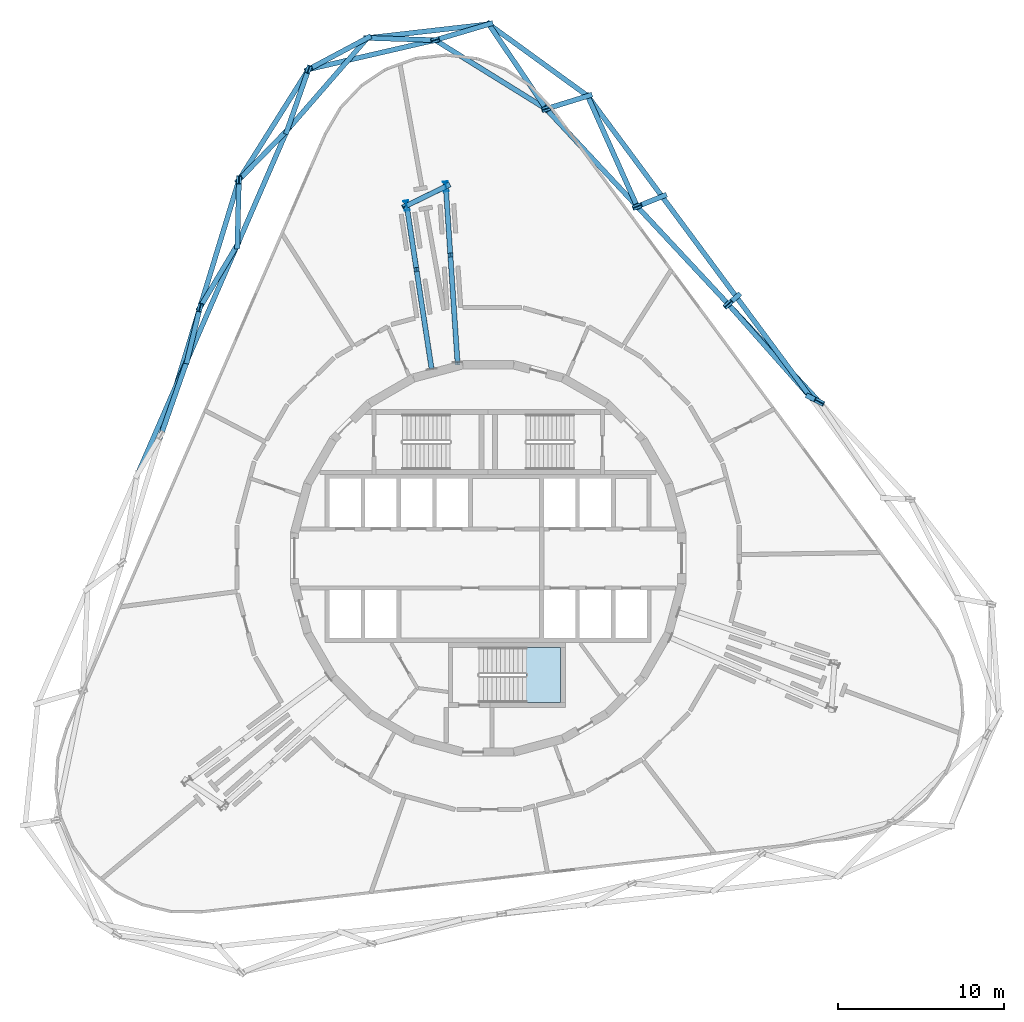
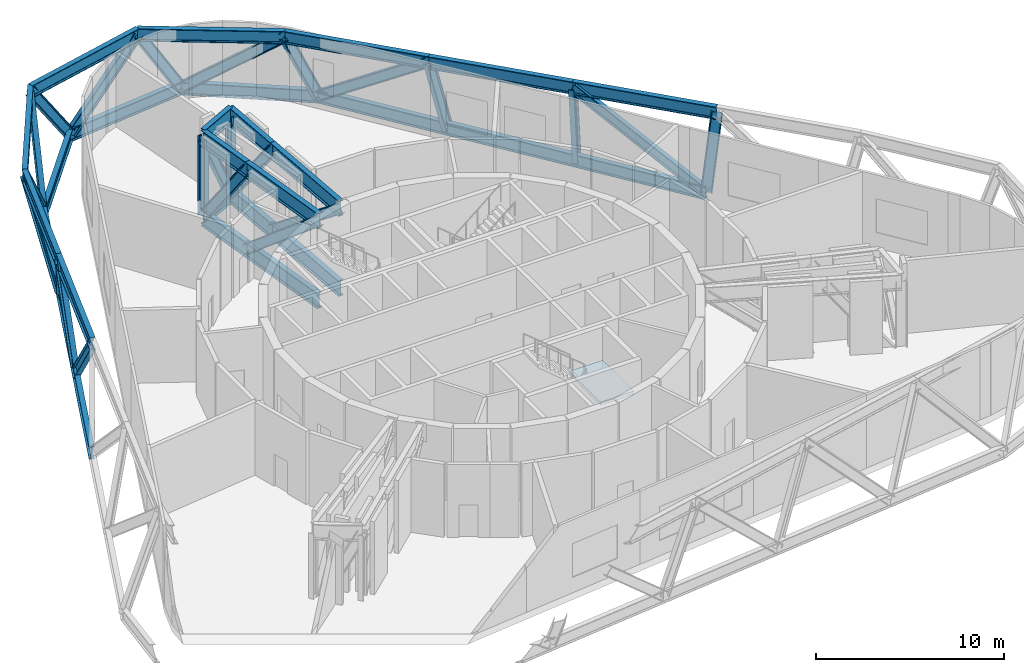
# One storey, part 3 of 11: 50 members, 1 slab, 1 element without a shape of its own.
"""IFC4 building model written with IfcOpenShell, lengths in metres."""

from ifc_helpers import new_model, si_unit, direction, frame, origin, origin_2d, place, context, subcontext, project, spatial, polyline, i_section, outline, extrude, material, layer, layer_set, material_profile, profile_set, type_object, element, aggregate, save


model = new_model("IFC4")

# Units and contexts
model_context = context("Model", 3, precision=1e-05, world=origin(), true_north=direction((0.0, 1.0)))
body_context = subcontext(model_context, "Body", "Model", "MODEL_VIEW")
ifc_project = project(units=[si_unit("LENGTHUNIT", "METRE"), si_unit("AREAUNIT", "SQUARE_METRE"), si_unit("VOLUMEUNIT", "CUBIC_METRE"), si_unit("PLANEANGLEUNIT", "RADIAN"), si_unit("MASSUNIT", "GRAM", prefix="KILO")], contexts=[model_context])

# Site, building, storey
site_placement = place(None, origin())
site = spatial("IfcSite", under=ifc_project, at=site_placement, CompositionType="ELEMENT")
building_placement = place(site_placement, origin())
building = spatial("IfcBuilding", under=site, at=building_placement, Name="Spindle Arch Residences", CompositionType="ELEMENT")
storey_placement = place(building_placement, frame((0.0, 0.0, 108.199951171875)))
storey = spatial("IfcBuildingStorey", under=building, at=storey_placement, Name="L26", CompositionType="ELEMENT", Elevation=108.199951171875)

# Members
ifc_material_1 = material(Name="Steel S460ML, intumescent coating R 240", Category="steel")
ifc_material_profile_1 = material_profile(ifc_material_1, i_section(OverallWidth=0.302978515625, OverallDepth=0.81396484375, WebThickness=0.02099609375, FlangeThickness=0.0400390625, FilletRadius=0.030029296875, at=origin_2d()), Name="HEM 800")
ifc_profile_set_1 = profile_set([ifc_material_profile_1], Name="Steel S460ML, intumescent coating R 240")
member_type_1 = type_object("IfcMemberType", Name="Belt truss chord HEM 800", PredefinedType="CHORD", material=ifc_profile_set_1)
member_1_placement = place(storey_placement, frame((19.404541015625, 9.681884765625, -0.85693359375), z_axis=(-0.594818247684, 0.80386021933, 0.0), x_axis=(-0.80386021933, -0.594818247684, 0.0)))
element("IfcMember", 1, at=member_1_placement, inside=storey, type_object=member_type_1, Name="Belt truss bottom chord L26.8", PredefinedType="CHORD", context=body_context, shape_type="SweptSolid", body=[
    extrude(i_section(OverallWidth=0.302978515625, OverallDepth=0.81396484375, WebThickness=0.02099609375, FlangeThickness=0.0400390625, FilletRadius=0.030029296875, at=origin_2d()), origin(), (0.0, 0.0, 1.0), 7.51904296875),
])
for number, where, z_axis, x_axis, name in (
    (2, (14.93212890625, 15.72607421875, -0.85693359375), (-0.594833773541, 0.803848730704, 0.0), (-0.803848730704, -0.594833773541, 0.0), "Belt truss bottom chord L26.9"),
    (3, (10.459716796875, 21.77001953125, -0.85693359375), (-0.594797265235, 0.803875744919, 0.0), (-0.803875744919, -0.594797265235, 0.0), "Belt truss bottom chord L26.10"),
):
    element("IfcMember", number, at=place(storey_placement, frame(where, z_axis=z_axis, x_axis=x_axis)), inside=storey, type_object=member_type_1, Name=name, PredefinedType="CHORD", context=body_context, shape_type="SweptSolid", body=[
        extrude(i_section(OverallWidth=0.302978515625, OverallDepth=0.81396484375, WebThickness=0.02099609375, FlangeThickness=0.0400390625, FilletRadius=0.030029296875, at=origin_2d()), origin(), (0.0, 0.0, 1.0), 7.518798828125),
    ])
member_2_placement = place(storey_placement, frame((5.987548828125, 27.814208984375, -0.85693359375), z_axis=(-0.809295594057, 0.587401601495, 0.0), x_axis=(-0.587401601495, -0.809295594057, 0.0)))
element("IfcMember", 4, at=member_2_placement, inside=storey, type_object=member_type_1, Name="Belt truss bottom chord L26.11", PredefinedType="CHORD", context=body_context, shape_type="SweptSolid", body=[
    extrude(i_section(OverallWidth=0.302978515625, OverallDepth=0.81396484375, WebThickness=0.02099609375, FlangeThickness=0.0400390625, FilletRadius=0.030029296875, at=origin_2d()), origin(), (0.0, 0.0, 1.0), 7.35400390625),
])
member_3_placement = place(storey_placement, frame((0.035888671875, 32.134033203125, -0.85693359375), z_axis=(-0.99357352568, -0.113188555371, 0.0), x_axis=(0.113188555371, -0.99357352568, 0.0)))
element("IfcMember", 5, at=member_3_placement, inside=storey, type_object=member_type_1, Name="Belt truss bottom chord L26.12", PredefinedType="CHORD", context=body_context, shape_type="SweptSolid", body=[
    extrude(i_section(OverallWidth=0.302978515625, OverallDepth=0.81396484375, WebThickness=0.02099609375, FlangeThickness=0.0400390625, FilletRadius=0.030029296875, at=origin_2d()), origin(), (0.0, 0.0, 1.0), 7.346435546875),
])
member_4_placement = place(storey_placement, frame((-7.263427734375, 31.302490234375, -0.85693359375), z_axis=(-0.65640799179, -0.754406089791, 0.0), x_axis=(0.754406089791, -0.65640799179, 0.0)))
element("IfcMember", 6, at=member_4_placement, inside=storey, type_object=member_type_1, Name="Belt truss bottom chord L26.13", PredefinedType="CHORD", context=body_context, shape_type="SweptSolid", body=[
    extrude(i_section(OverallWidth=0.302978515625, OverallDepth=0.81396484375, WebThickness=0.02099609375, FlangeThickness=0.0400390625, FilletRadius=0.030029296875, at=origin_2d()), origin(), (0.0, 0.0, 1.0), 7.354248046875),
])
member_5_placement = place(storey_placement, frame((-12.0908203125, 25.75439453125, -0.85693359375), z_axis=(-0.398737984544, -0.917064893932, 0.0), x_axis=(0.917064893932, -0.398737984544, 0.0)))
element("IfcMember", 7, at=member_5_placement, inside=storey, type_object=member_type_1, Name="Belt truss bottom chord L26.14", PredefinedType="CHORD", context=body_context, shape_type="SweptSolid", body=[
    extrude(i_section(OverallWidth=0.302978515625, OverallDepth=0.81396484375, WebThickness=0.02099609375, FlangeThickness=0.0400390625, FilletRadius=0.030029296875, at=origin_2d()), origin(), (0.0, 0.0, 1.0), 7.518798828125),
])
member_6_placement = place(storey_placement, frame((-15.0888671875, 18.859130859375, -0.85693359375), z_axis=(-0.398765291981, -0.917053020229, 0.0), x_axis=(0.917053020229, -0.398765291981, 0.0)))
element("IfcMember", 8, at=member_6_placement, inside=storey, type_object=member_type_1, Name="Belt truss bottom chord L26.15", PredefinedType="CHORD", context=body_context, shape_type="SweptSolid", body=[
    extrude(i_section(OverallWidth=0.302978515625, OverallDepth=0.81396484375, WebThickness=0.02099609375, FlangeThickness=0.0400390625, FilletRadius=0.030029296875, at=origin_2d()), origin(), (0.0, 0.0, 1.0), 7.51904296875),
])
member_7_placement = place(storey_placement, frame((-18.087158203125, 11.9638671875, -0.85693359375), z_axis=(-0.398737984544, -0.917064893932, 0.0), x_axis=(0.917064893932, -0.398737984544, 0.0)))
element("IfcMember", 9, at=member_7_placement, inside=storey, type_object=member_type_1, Name="Belt truss bottom chord L26.16", PredefinedType="CHORD", context=body_context, shape_type="SweptSolid", body=[
    extrude(i_section(OverallWidth=0.302978515625, OverallDepth=0.81396484375, WebThickness=0.02099609375, FlangeThickness=0.0400390625, FilletRadius=0.030029296875, at=origin_2d()), origin(), (0.0, 0.0, 1.0), 7.518798828125),
])
member_8_placement = place(storey_placement, frame((19.9150390625, 9.42236328125, 4.343017578125), z_axis=(-0.682000753291, 0.73135146989, 0.0), x_axis=(-0.73135146989, -0.682000753291, 0.0)))
element("IfcMember", 10, at=member_8_placement, inside=storey, type_object=member_type_1, Name="Belt truss top chord L26.7", PredefinedType="CHORD", context=body_context, shape_type="SweptSolid", body=[
    extrude(i_section(OverallWidth=0.302978515625, OverallDepth=0.81396484375, WebThickness=0.02099609375, FlangeThickness=0.0400390625, FilletRadius=0.030029296875, at=origin_2d()), origin(), (0.0, 0.0, 1.0), 8.029052734375),
])
for number, where, z_axis, x_axis, name in (
    (11, (14.439208984375, 15.29443359375, 4.343017578125), (-0.68201701678, 0.731336303504, 0.0), (-0.731336303504, -0.68201701678, 0.0), "Belt truss top chord L26.8"),
    (12, (8.963134765625, 21.16650390625, 4.343017578125), (-0.681985586962, 0.731365612519, 0.0), (-0.731365612519, -0.681985586962, 0.0), "Belt truss top chord L26.9"),
):
    element("IfcMember", number, at=place(storey_placement, frame(where, z_axis=z_axis, x_axis=x_axis)), inside=storey, type_object=member_type_1, Name=name, PredefinedType="CHORD", context=body_context, shape_type="SweptSolid", body=[
        extrude(i_section(OverallWidth=0.302978515625, OverallDepth=0.81396484375, WebThickness=0.02099609375, FlangeThickness=0.0400390625, FilletRadius=0.030029296875, at=origin_2d()), origin(), (0.0, 0.0, 1.0), 8.029296875),
    ])
member_9_placement = place(storey_placement, frame((3.4873046875, 27.038818359375, 4.343017578125), z_axis=(-0.8498361212, 0.527047025515, 0.0), x_axis=(-0.527047025515, -0.8498361212, 0.0)))
element("IfcMember", 13, at=member_9_placement, inside=storey, type_object=member_type_1, Name="Belt truss top chord L26.10", PredefinedType="CHORD", context=body_context, shape_type="SweptSolid", body=[
    extrude(i_section(OverallWidth=0.302978515625, OverallDepth=0.81396484375, WebThickness=0.02099609375, FlangeThickness=0.0400390625, FilletRadius=0.030029296875, at=origin_2d()), origin(), (0.0, 0.0, 1.0), 7.8515625),
])
member_10_placement = place(storey_placement, frame((-3.185302734375, 31.177001953125, 4.343017578125), z_axis=(-0.974368036587, -0.224959839254, 0.0), x_axis=(0.224959839254, -0.974368036587, 0.0)))
element("IfcMember", 14, at=member_10_placement, inside=storey, type_object=member_type_1, Name="Belt truss top chord L26.11", PredefinedType="CHORD", context=body_context, shape_type="SweptSolid", body=[
    extrude(i_section(OverallWidth=0.302978515625, OverallDepth=0.81396484375, WebThickness=0.02099609375, FlangeThickness=0.0400390625, FilletRadius=0.030029296875, at=origin_2d()), origin(), (0.0, 0.0, 1.0), 7.8193359375),
])
member_11_placement = place(storey_placement, frame((-10.80419921875, 29.41796875, 4.343017578125), z_axis=(-0.532768735152, -0.846260878715, 0.0), x_axis=(0.846260878715, -0.532768735152, 0.0)))
element("IfcMember", 15, at=member_11_placement, inside=storey, type_object=member_type_1, Name="Belt truss top chord L26.12", PredefinedType="CHORD", context=body_context, shape_type="SweptSolid", body=[
    extrude(i_section(OverallWidth=0.302978515625, OverallDepth=0.81396484375, WebThickness=0.02099609375, FlangeThickness=0.0400390625, FilletRadius=0.030029296875, at=origin_2d()), origin(), (0.0, 0.0, 1.0), 7.8515625),
])
for number, where, z_axis, x_axis, name in (
    (16, (-14.9873046875, 22.7734375, 4.343017578125), (-0.292393118485, -0.956298208857, 0.0), (0.956298208857, -0.292393118485, 0.0), "Belt truss top chord L26.13"),
    (17, (-17.3349609375, 15.09521484375, 4.343017578125), (-0.292365310779, -0.956306710764, 0.0), (0.956306710764, -0.292365310779, 0.0), "Belt truss top chord L26.14"),
):
    element("IfcMember", number, at=place(storey_placement, frame(where, z_axis=z_axis, x_axis=x_axis)), inside=storey, type_object=member_type_1, Name=name, PredefinedType="CHORD", context=body_context, shape_type="SweptSolid", body=[
        extrude(i_section(OverallWidth=0.302978515625, OverallDepth=0.81396484375, WebThickness=0.02099609375, FlangeThickness=0.0400390625, FilletRadius=0.030029296875, at=origin_2d()), origin(), (0.0, 0.0, 1.0), 8.029052734375),
    ])
ifc_material_2 = material(Name="Steel S460ML, intumescent coating R 240", Category="steel")
ifc_material_profile_2 = material_profile(ifc_material_2, i_section(OverallWidth=0.304931640625, OverallDepth=0.6201171875, WebThickness=0.02099609375, FlangeThickness=0.0400390625, FilletRadius=0.027099609375, at=origin_2d()), Name="HEM 600")
ifc_profile_set_2 = profile_set([ifc_material_profile_2], Name="Steel S460ML, intumescent coating R 240")
member_type_2 = type_object("IfcMemberType", Name="Belt truss diagonal HEM 600", PredefinedType="BRACE", material=ifc_profile_set_2)
member_12_placement = place(storey_placement, frame((19.404541015625, 9.681884765625, -0.85693359375), z_axis=(0.097583615217, -0.049608504532, 0.99399015806), x_axis=(0.45317203817, 0.891423077905, 0.0)))
element("IfcMember", 18, at=member_12_placement, inside=storey, type_object=member_type_2, Name="Belt truss diagonal L26.7.8", PredefinedType="BRACE", context=body_context, shape_type="SweptSolid", body=[
    extrude(i_section(OverallWidth=0.304931640625, OverallDepth=0.6201171875, WebThickness=0.02099609375, FlangeThickness=0.0400390625, FilletRadius=0.027099609375, at=origin_2d()), origin(), (0.0, 0.0, 1.0), 5.2314453125),
])
member_13_placement = place(storey_placement, frame((19.404541015625, 9.681884765625, -0.85693359375), z_axis=(-0.54437781256, 0.615335899938, 0.570100453816), x_axis=(-0.748971066079, -0.662602703115, 0.0)))
element("IfcMember", 19, at=member_13_placement, inside=storey, type_object=member_type_2, Name="Belt truss diagonal L26.8.8", PredefinedType="BRACE", context=body_context, shape_type="SweptSolid", body=[
    extrude(i_section(OverallWidth=0.304931640625, OverallDepth=0.6201171875, WebThickness=0.02099609375, FlangeThickness=0.0400390625, FilletRadius=0.027099609375, at=origin_2d()), origin(), (0.0, 0.0, 1.0), 9.12109375),
])
member_14_placement = place(storey_placement, frame((14.93212890625, 15.72607421875, -0.85693359375), z_axis=(-0.094049549174, -0.082357406112, 0.992155199532), x_axis=(0.658794742001, -0.752322728563, 0.0)))
element("IfcMember", 20, at=member_14_placement, inside=storey, type_object=member_type_2, Name="Belt truss diagonal L26.8.9", PredefinedType="BRACE", context=body_context, shape_type="SweptSolid", body=[
    extrude(i_section(OverallWidth=0.304931640625, OverallDepth=0.6201171875, WebThickness=0.02099609375, FlangeThickness=0.0400390625, FilletRadius=0.027099609375, at=origin_2d()), origin(), (0.0, 0.0, 1.0), 5.240966796875),
])
member_15_placement = place(storey_placement, frame((10.459716796875, 21.77001953125, -0.85693359375), z_axis=(-0.274875432365, -0.11084699328, 0.955068814674), x_axis=(0.373997720591, -0.927429622663, 0.0)))
element("IfcMember", 21, at=member_15_placement, inside=storey, type_object=member_type_2, Name="Belt truss diagonal L26.9.10", PredefinedType="BRACE", context=body_context, shape_type="SweptSolid", body=[
    extrude(i_section(OverallWidth=0.304931640625, OverallDepth=0.6201171875, WebThickness=0.02099609375, FlangeThickness=0.0400390625, FilletRadius=0.027099609375, at=origin_2d()), origin(), (0.0, 0.0, 1.0), 5.444580078125),
])
member_16_placement = place(storey_placement, frame((5.987548828125, 27.814208984375, -0.85693359375), z_axis=(0.332502807708, -0.742838771831, 0.581061478616), x_axis=(0.91273569839, 0.408550541407, 0.0)))
element("IfcMember", 22, at=member_16_placement, inside=storey, type_object=member_type_2, Name="Belt truss diagonal L26.9.11", PredefinedType="BRACE", context=body_context, shape_type="SweptSolid", body=[
    extrude(i_section(OverallWidth=0.304931640625, OverallDepth=0.6201171875, WebThickness=0.02099609375, FlangeThickness=0.0400390625, FilletRadius=0.027099609375, at=origin_2d()), origin(), (0.0, 0.0, 1.0), 8.948974609375),
])
member_17_placement = place(storey_placement, frame((5.987548828125, 27.814208984375, -0.85693359375), z_axis=(-0.429471333629, -0.133190211464, 0.89320475881), x_axis=(0.296208532319, -0.955123293288, 0.0)))
element("IfcMember", 23, at=member_17_placement, inside=storey, type_object=member_type_2, Name="Belt truss diagonal L26.10.11", PredefinedType="BRACE", context=body_context, shape_type="SweptSolid", body=[
    extrude(i_section(OverallWidth=0.304931640625, OverallDepth=0.6201171875, WebThickness=0.02099609375, FlangeThickness=0.0400390625, FilletRadius=0.027099609375, at=origin_2d()), origin(), (0.0, 0.0, 1.0), 5.82177734375),
])
member_18_placement = place(storey_placement, frame((0.035888671875, 32.134033203125, -0.85693359375), z_axis=(0.428382321304, -0.63240709101, 0.645406738449), x_axis=(0.82793235719, 0.560827969985, 0.0)))
element("IfcMember", 24, at=member_18_placement, inside=storey, type_object=member_type_2, Name="Belt truss diagonal L26.10.12", PredefinedType="BRACE", context=body_context, shape_type="SweptSolid", body=[
    extrude(i_section(OverallWidth=0.304931640625, OverallDepth=0.6201171875, WebThickness=0.02099609375, FlangeThickness=0.0400390625, FilletRadius=0.027099609375, at=origin_2d()), origin(), (0.0, 0.0, 1.0), 8.056884765625),
])
member_19_placement = place(storey_placement, frame((0.035888671875, 32.134033203125, -0.85693359375), z_axis=(-0.520281957656, -0.154578238139, 0.839888238298), x_axis=(0.284800674398, -0.958586759695, 0.0)))
element("IfcMember", 25, at=member_19_placement, inside=storey, type_object=member_type_2, Name="Belt truss diagonal L26.11.12", PredefinedType="BRACE", context=body_context, shape_type="SweptSolid", body=[
    extrude(i_section(OverallWidth=0.304931640625, OverallDepth=0.6201171875, WebThickness=0.02099609375, FlangeThickness=0.0400390625, FilletRadius=0.027099609375, at=origin_2d()), origin(), (0.0, 0.0, 1.0), 6.191162109375),
])
member_20_placement = place(storey_placement, frame((-7.263427734375, 31.302490234375, -0.85693359375), z_axis=(0.617003585292, -0.018985862239, 0.786731283712), x_axis=(0.030756515202, 0.999526906478, 0.0)))
element("IfcMember", 26, at=member_20_placement, inside=storey, type_object=member_type_2, Name="Belt truss diagonal L26.11.13", PredefinedType="BRACE", context=body_context, shape_type="SweptSolid", body=[
    extrude(i_section(OverallWidth=0.304931640625, OverallDepth=0.6201171875, WebThickness=0.02099609375, FlangeThickness=0.0400390625, FilletRadius=0.027099609375, at=origin_2d()), origin(), (0.0, 0.0, 1.0), 6.609619140625),
])
member_21_placement = place(storey_placement, frame((-7.263427734375, 31.302490234375, -0.85693359375), z_axis=(-0.539160863053, -0.286960125622, 0.791807710278), x_axis=(0.469833016307, -0.882755309691, 0.0)))
element("IfcMember", 27, at=member_21_placement, inside=storey, type_object=member_type_2, Name="Belt truss diagonal L26.12.13", PredefinedType="BRACE", context=body_context, shape_type="SweptSolid", body=[
    extrude(i_section(OverallWidth=0.304931640625, OverallDepth=0.6201171875, WebThickness=0.02099609375, FlangeThickness=0.0400390625, FilletRadius=0.027099609375, at=origin_2d()), origin(), (0.0, 0.0, 1.0), 6.567138671875),
])
member_22_placement = place(storey_placement, frame((-12.0908203125, 25.75439453125, -0.85693359375), z_axis=(0.19825479277, 0.564518296073, 0.801257842734), x_axis=(-0.943506898372, 0.331352882475, 0.0)))
element("IfcMember", 28, at=member_22_placement, inside=storey, type_object=member_type_2, Name="Belt truss diagonal L26.12.14", PredefinedType="BRACE", context=body_context, shape_type="SweptSolid", body=[
    extrude(i_section(OverallWidth=0.304931640625, OverallDepth=0.6201171875, WebThickness=0.02099609375, FlangeThickness=0.0400390625, FilletRadius=0.027099609375, at=origin_2d()), origin(), (0.0, 0.0, 1.0), 6.48974609375),
])
member_23_placement = place(storey_placement, frame((-12.0908203125, 25.75439453125, -0.85693359375), z_axis=(-0.435105668597, -0.447795028116, 0.781129099413), x_axis=(0.717195498947, -0.696872022892, 0.0)))
element("IfcMember", 29, at=member_23_placement, inside=storey, type_object=member_type_2, Name="Belt truss diagonal L26.13.14", PredefinedType="BRACE", context=body_context, shape_type="SweptSolid", body=[
    extrude(i_section(OverallWidth=0.304931640625, OverallDepth=0.6201171875, WebThickness=0.02099609375, FlangeThickness=0.0400390625, FilletRadius=0.027099609375, at=origin_2d()), origin(), (0.0, 0.0, 1.0), 6.656982421875),
])
member_24_placement = place(storey_placement, frame((-15.0888671875, 18.859130859375, -0.85693359375), z_axis=(0.015602562549, 0.60133626284, 0.798843701255), x_axis=(-0.999663559813, 0.025937755934, 0.0)))
element("IfcMember", 30, at=member_24_placement, inside=storey, type_object=member_type_2, Name="Belt truss diagonal L26.13.15", PredefinedType="BRACE", context=body_context, shape_type="SweptSolid", body=[
    extrude(i_section(OverallWidth=0.304931640625, OverallDepth=0.6201171875, WebThickness=0.02099609375, FlangeThickness=0.0400390625, FilletRadius=0.027099609375, at=origin_2d()), origin(), (0.0, 0.0, 1.0), 6.50927734375),
])
member_25_placement = place(storey_placement, frame((-15.0888671875, 18.859130859375, -0.85693359375), z_axis=(-0.330266862532, -0.553448284745, 0.764603685334), x_axis=(0.858724048017, -0.512438298097, 0.0)))
element("IfcMember", 31, at=member_25_placement, inside=storey, type_object=member_type_2, Name="Belt truss diagonal L26.14.15", PredefinedType="BRACE", context=body_context, shape_type="SweptSolid", body=[
    extrude(i_section(OverallWidth=0.304931640625, OverallDepth=0.6201171875, WebThickness=0.02099609375, FlangeThickness=0.0400390625, FilletRadius=0.027099609375, at=origin_2d()), origin(), (0.0, 0.0, 1.0), 6.80078125),
])
member_26_placement = place(storey_placement, frame((-18.087158203125, 11.9638671875, -0.85693359375), z_axis=(0.122979927668, 0.511957336019, 0.850162116003), x_axis=(-0.972339800215, 0.233570787811, 0.0)))
element("IfcMember", 32, at=member_26_placement, inside=storey, type_object=member_type_2, Name="Belt truss diagonal L26.14.16", PredefinedType="BRACE", context=body_context, shape_type="SweptSolid", body=[
    extrude(i_section(OverallWidth=0.304931640625, OverallDepth=0.6201171875, WebThickness=0.02099609375, FlangeThickness=0.0400390625, FilletRadius=0.027099609375, at=origin_2d()), origin(), (0.0, 0.0, 1.0), 6.116455078125),
])
member_27_placement = place(storey_placement, frame((-18.087158203125, 11.9638671875, -0.85693359375), z_axis=(-0.225017032848, -0.64137086314, 0.733492161406), x_axis=(0.943611644963, -0.331054472089, 0.0)))
element("IfcMember", 33, at=member_27_placement, inside=storey, type_object=member_type_2, Name="Belt truss diagonal L26.15.16", PredefinedType="BRACE", context=body_context, shape_type="SweptSolid", body=[
    extrude(i_section(OverallWidth=0.304931640625, OverallDepth=0.6201171875, WebThickness=0.02099609375, FlangeThickness=0.0400390625, FilletRadius=0.027099609375, at=origin_2d()), origin(), (0.0, 0.0, 1.0), 7.08935546875),
])
ifc_material_3 = material(Name="Steel S460ML, intumescent coating R 240", Category="steel")
ifc_material_profile_3 = material_profile(ifc_material_3, i_section(OverallWidth=0.302001953125, OverallDepth=1.008056640625, WebThickness=0.02099609375, FlangeThickness=0.0400390625, FilletRadius=0.030029296875, at=origin_2d()), Name="HEM 1000")
ifc_profile_set_3 = profile_set([ifc_material_profile_3], Name="Steel S460ML, intumescent coating R 240")
member_type_3 = type_object("IfcMemberType", Name="Transfer truss chord HEM 1000", PredefinedType="CHORD", material=ifc_profile_set_3)
for number, where, z_axis, x_axis, name in (
    (34, (-1.845703125, 11.822509765625, -0.953857421875), (-0.066491814472, 0.997786970554, 0.0), (-0.997786970554, -0.066491814472, 0.0), "Transfer truss chord L26"),
    (35, (-1.845703125, 11.822509765625, 4.24609375), (-0.066491814472, 0.997786970554, 0.0), (-0.997786970554, -0.066491814472, 0.0), "Transfer truss chord L26"),
):
    element("IfcMember", number, at=place(storey_placement, frame(where, z_axis=z_axis, x_axis=x_axis)), inside=storey, type_object=member_type_3, Name=name, PredefinedType="CHORD", context=body_context, shape_type="SweptSolid", body=[
        extrude(i_section(OverallWidth=0.302001953125, OverallDepth=1.008056640625, WebThickness=0.02099609375, FlangeThickness=0.0400390625, FilletRadius=0.030029296875, at=origin_2d()), origin(), (0.0, 0.0, 1.0), 6.553955078125),
    ])
for number, where, z_axis, x_axis, name in (
    (36, (-2.281494140625, 18.362060546875, -0.953857421875), (-0.066547246085, 0.997783275085, 0.0), (-0.997783275085, -0.066547246085, 0.0), "Transfer truss chord L26"),
    (37, (-2.281494140625, 18.362060546875, 4.24609375), (-0.066547246085, 0.997783275085, 0.0), (-0.997783275085, -0.066547246085, 0.0), "Transfer truss chord L26"),
):
    element("IfcMember", number, at=place(storey_placement, frame(where, z_axis=z_axis, x_axis=x_axis)), inside=storey, type_object=member_type_3, Name=name, PredefinedType="CHORD", context=body_context, shape_type="SweptSolid", body=[
        extrude(i_section(OverallWidth=0.302001953125, OverallDepth=1.008056640625, WebThickness=0.02099609375, FlangeThickness=0.0400390625, FilletRadius=0.030029296875, at=origin_2d()), origin(), (0.0, 0.0, 1.0), 4.01708984375),
    ])
for number, where, z_axis, x_axis, name in (
    (38, (-2.548828125, 22.370361328125, -0.953857421875), (-0.898752299808, -0.438456729439, 0.0), (0.438456729439, -0.898752299808, 0.0), "Transfer truss chord L26"),
    (39, (-2.548828125, 22.370361328125, 4.24609375), (-0.898752299808, -0.438456729439, 0.0), (0.438456729439, -0.898752299808, 0.0), "Transfer truss chord L26"),
):
    element("IfcMember", number, at=place(storey_placement, frame(where, z_axis=z_axis, x_axis=x_axis)), inside=storey, type_object=member_type_3, Name=name, PredefinedType="CHORD", context=body_context, shape_type="SweptSolid", body=[
        extrude(i_section(OverallWidth=0.302001953125, OverallDepth=1.008056640625, WebThickness=0.02099609375, FlangeThickness=0.0400390625, FilletRadius=0.030029296875, at=origin_2d()), origin(), (0.0, 0.0, 1.0), 2.615966796875),
    ])
for number, where, z_axis, x_axis, name in (
    (40, (-3.40234375, 11.405517578125, -0.953857421875), (-0.150784854978, 0.988566602465, 0.0), (-0.988566602465, -0.150784854978, 0.0), "Transfer truss chord L26"),
    (41, (-3.40234375, 11.405517578125, 4.24609375), (-0.150784854978, 0.988566602465, 0.0), (-0.988566602465, -0.150784854978, 0.0), "Transfer truss chord L26"),
):
    element("IfcMember", number, at=place(storey_placement, frame(where, z_axis=z_axis, x_axis=x_axis)), inside=storey, type_object=member_type_3, Name=name, PredefinedType="CHORD", context=body_context, shape_type="SweptSolid", body=[
        extrude(i_section(OverallWidth=0.302001953125, OverallDepth=1.008056640625, WebThickness=0.02099609375, FlangeThickness=0.0400390625, FilletRadius=0.030029296875, at=origin_2d()), origin(), (0.0, 0.0, 1.0), 6.157470703125),
    ])
for number, where, z_axis, x_axis, name in (
    (42, (-4.330810546875, 17.49267578125, -0.953857421875), (-0.150797989671, 0.988564598957, 0.0), (-0.988564598957, -0.150797989671, 0.0), "Transfer truss chord L26"),
    (43, (-4.330810546875, 17.49267578125, 4.24609375), (-0.150797989671, 0.988564598957, 0.0), (-0.988564598957, -0.150797989671, 0.0), "Transfer truss chord L26"),
):
    element("IfcMember", number, at=place(storey_placement, frame(where, z_axis=z_axis, x_axis=x_axis)), inside=storey, type_object=member_type_3, Name=name, PredefinedType="CHORD", context=body_context, shape_type="SweptSolid", body=[
        extrude(i_section(OverallWidth=0.302001953125, OverallDepth=1.008056640625, WebThickness=0.02099609375, FlangeThickness=0.0400390625, FilletRadius=0.030029296875, at=origin_2d()), origin(), (0.0, 0.0, 1.0), 3.77392578125),
    ])
ifc_material_4 = material(Name="Steel S460ML, intumescent coating R 240", Category="steel")
ifc_material_profile_4 = material_profile(ifc_material_4, i_section(OverallWidth=0.304931640625, OverallDepth=0.6201171875, WebThickness=0.02099609375, FlangeThickness=0.0400390625, FilletRadius=0.027099609375, at=origin_2d()), Name="HEM 600")
ifc_profile_set_4 = profile_set([ifc_material_profile_4], Name="Steel S460ML, intumescent coating R 240")
member_type_4 = type_object("IfcMemberType", Name="Transfer truss diagonal HEM 600", PredefinedType="BRACE", material=ifc_profile_set_4)
member_28_placement = place(storey_placement, frame((-2.281494140625, 18.362060546875, -0.953857421875), z_axis=(0.052088800778, -0.781653007082, 0.621534659816), x_axis=(0.997786970554, 0.066491814472, 0.0)))
element("IfcMember", 44, at=member_28_placement, inside=storey, type_object=member_type_4, Name="Transfer truss diagonal L26", PredefinedType="BRACE", context=body_context, shape_type="SweptSolid", body=[
    extrude(i_section(OverallWidth=0.304931640625, OverallDepth=0.6201171875, WebThickness=0.02099609375, FlangeThickness=0.0400390625, FilletRadius=0.027099609375, at=origin_2d()), origin(), (0.0, 0.0, 1.0), 8.3662109375),
])
member_29_placement = place(storey_placement, frame((-2.548828125, 22.370361328125, -0.953857421875), z_axis=(0.040684197384, -0.610002879137, 0.791354082272), x_axis=(0.997783275085, 0.066547246085, 0.0)))
element("IfcMember", 45, at=member_29_placement, inside=storey, type_object=member_type_4, Name="Transfer truss diagonal L26", PredefinedType="BRACE", context=body_context, shape_type="SweptSolid", body=[
    extrude(i_section(OverallWidth=0.304931640625, OverallDepth=0.6201171875, WebThickness=0.02099609375, FlangeThickness=0.0400390625, FilletRadius=0.027099609375, at=origin_2d()), origin(), (0.0, 0.0, 1.0), 6.571044921875),
])
member_30_placement = place(storey_placement, frame((-2.548828125, 22.370361328125, -0.953857421875), z_axis=(-0.403903902034, -0.197044707347, 0.89332805913), x_axis=(0.438456729439, -0.898752299808, 0.0)))
element("IfcMember", 46, at=member_30_placement, inside=storey, type_object=member_type_4, Name="Transfer truss diagonal L26", PredefinedType="BRACE", context=body_context, shape_type="SweptSolid", body=[
    extrude(i_section(OverallWidth=0.304931640625, OverallDepth=0.6201171875, WebThickness=0.02099609375, FlangeThickness=0.0400390625, FilletRadius=0.027099609375, at=origin_2d()), origin(), (0.0, 0.0, 1.0), 5.82080078125),
])
member_31_placement = place(storey_placement, frame((-4.330810546875, 17.49267578125, -0.953857421875), z_axis=(0.115201983755, -0.755280321051, 0.645197752299), x_axis=(0.988566602465, 0.150784854978, 0.0)))
element("IfcMember", 47, at=member_31_placement, inside=storey, type_object=member_type_4, Name="Transfer truss diagonal L26", PredefinedType="BRACE", context=body_context, shape_type="SweptSolid", body=[
    extrude(i_section(OverallWidth=0.304931640625, OverallDepth=0.6201171875, WebThickness=0.02099609375, FlangeThickness=0.0400390625, FilletRadius=0.027099609375, at=origin_2d()), origin(), (0.0, 0.0, 1.0), 8.0595703125),
])
member_32_placement = place(storey_placement, frame((-4.89990234375, 21.223388671875, -0.953857421875), z_axis=(0.088573578127, -0.580649012167, 0.809321596109), x_axis=(0.988564598957, 0.150797989671, 0.0)))
element("IfcMember", 48, at=member_32_placement, inside=storey, type_object=member_type_4, Name="Transfer truss diagonal L26", PredefinedType="BRACE", context=body_context, shape_type="SweptSolid", body=[
    extrude(i_section(OverallWidth=0.304931640625, OverallDepth=0.6201171875, WebThickness=0.02099609375, FlangeThickness=0.0400390625, FilletRadius=0.027099609375, at=origin_2d()), origin(), (0.0, 0.0, 1.0), 6.425048828125),
])
ifc_material_5 = material(Name="Steel S460ML, intumescent coating R 240", Category="steel")
ifc_material_profile_5 = material_profile(ifc_material_5, i_section(OverallWidth=0.300048828125, OverallDepth=0.60009765625, WebThickness=0.015380859375, FlangeThickness=0.030029296875, FilletRadius=0.027099609375, at=origin_2d()), Name="HEB 600")
ifc_profile_set_5 = profile_set([ifc_material_profile_5], Name="Steel S460ML, intumescent coating R 240")
member_type_5 = type_object("IfcMemberType", Name="Transfer truss post HEB 600", PredefinedType="POST", material=ifc_profile_set_5)
member_33_placement = place(storey_placement, frame((-2.548828125, 22.370361328125, -0.449951171875), z_axis=(0.0, 0.0, 1.0), x_axis=(0.997785639404, 0.066511786926, 0.0)))
element("IfcMember", 49, at=member_33_placement, inside=storey, type_object=member_type_5, Name="Transfer truss post L26", PredefinedType="POST", context=body_context, shape_type="SweptSolid", body=[
    extrude(i_section(OverallWidth=0.300048828125, OverallDepth=0.60009765625, WebThickness=0.015380859375, FlangeThickness=0.030029296875, FilletRadius=0.027099609375, at=origin_2d()), origin(), (0.0, 0.0, 1.0), 4.696044921875),
])
member_34_placement = place(storey_placement, frame((-4.89990234375, 21.223388671875, -0.953857421875), z_axis=(0.0, 0.0, 1.0), x_axis=(0.988568522704, 0.150772265087, 0.0)))
element("IfcMember", 50, at=member_34_placement, inside=storey, type_object=member_type_5, Name="Transfer truss post L26", PredefinedType="POST", context=body_context, shape_type="SweptSolid", body=[
    extrude(i_section(OverallWidth=0.300048828125, OverallDepth=0.60009765625, WebThickness=0.015380859375, FlangeThickness=0.030029296875, FilletRadius=0.027099609375, at=origin_2d()), origin(), (0.0, 0.0, 1.0), 5.199951171875),
])

# Stair, slab
ifc_material_6 = material(Name="Concrete C50/60", Category="concrete")
stair_type = type_object("IfcStairType", Name="Exit stair 24 risers", PredefinedType="HALF_TURN_STAIR", material=ifc_material_6)
stair_placement = place(storey_placement, origin())
stair = element("IfcStair", 51, at=stair_placement, inside=storey, type_object=stair_type, Name="L26 Exit stair ST3", PredefinedType="HALF_TURN_STAIR")
ifc_material_7 = material(Name="Concrete C50/60", Category="concrete")
ifc_layer = layer(ifc_material_7, 0.219970703125)
ifc_layer_set = layer_set([ifc_layer], Name="Exit stair landing 220")
slab_type = type_object("IfcSlabType", Name="Exit stair landing 220", PredefinedType="LANDING", material=ifc_layer_set)
slab_placement = place(storey_placement, frame((0.0, 0.0, 2.380126953125)))
slab = element("IfcSlab", 52, at=slab_placement, type_object=slab_type, Name="ST3 landing 1", PredefinedType="LANDING", context=body_context, shape_type="SweptSolid", body=[
    extrude(outline(polyline([(2.2900390625, -8.669921875), (4.35009765625, -8.669921875), (4.35009765625, -5.35009765625), (2.2900390625, -5.35009765625), (2.2900390625, -8.669921875)])), origin(), (0.0, 0.0, 1.0), 0.219970703125),
])
aggregate(stair, [slab])

save(model, "model.ifc")
